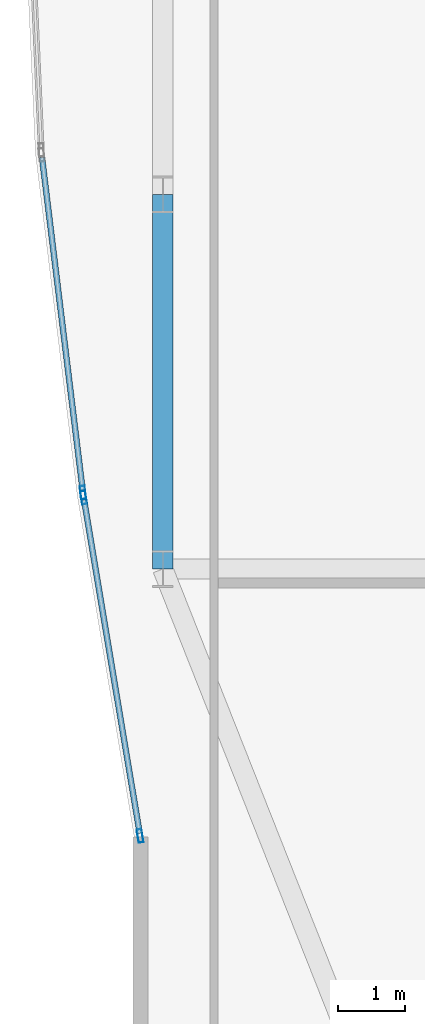
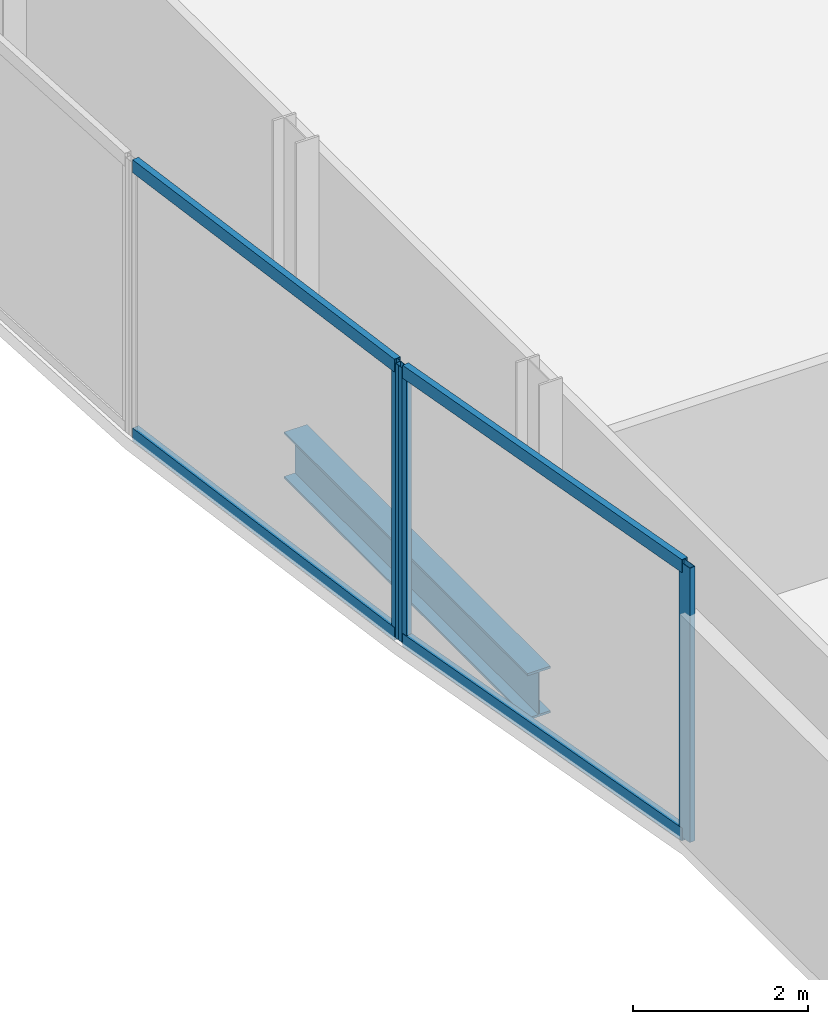
# One storey, part 6 of 32: 7 members, 1 beam, 2 elements without a shape of their own.
"""IFC4 building model written with IfcOpenShell, lengths in metres."""

from ifc_helpers import new_model, si_unit, direction, frame, origin, origin_2d, place, context, subcontext, project, spatial, hollow_rectangle, i_section, extrude, material, material_profile, profile_set, type_object, element, aggregate, save


model = new_model("IFC4")

# Units and contexts
model_context = context("Model", 3, precision=1e-05, world=origin(), true_north=direction((0.0, 1.0)))
body_context = subcontext(model_context, "Body", "Model", "MODEL_VIEW")
ifc_project = project(units=[si_unit("LENGTHUNIT", "METRE"), si_unit("AREAUNIT", "SQUARE_METRE"), si_unit("VOLUMEUNIT", "CUBIC_METRE"), si_unit("PLANEANGLEUNIT", "RADIAN"), si_unit("MASSUNIT", "GRAM", prefix="KILO")], contexts=[model_context])

# Site, building, storey
site_placement = place(None, origin())
site = spatial("IfcSite", under=ifc_project, at=site_placement, CompositionType="ELEMENT")
building_placement = place(site_placement, origin())
building = spatial("IfcBuilding", under=site, at=building_placement, Name="Khoronbel Lancet Exchange", CompositionType="ELEMENT")
storey_placement = place(building_placement, frame((0.0, 0.0, 41.800048828125)))
storey = spatial("IfcBuildingStorey", under=building, at=storey_placement, Name="L09", CompositionType="ELEMENT", Elevation=41.800048828125)

# Beam
ifc_material_1 = material(Name="Steel S355", Category="steel")
ifc_material_profile_1 = material_profile(ifc_material_1, i_section(OverallWidth=0.300048828125, OverallDepth=0.64990234375, WebThickness=0.01611328125, FlangeThickness=0.031005859375, at=origin_2d()), Name="HEB 650")
ifc_profile_set_1 = profile_set([ifc_material_profile_1], Name="Steel S355")
beam_type = type_object("IfcBeamType", Name="BM-BSP1", PredefinedType="SPANDREL", material=ifc_profile_set_1)
beam_placement = place(storey_placement, frame((1.27001953125, 24.75, -0.505126953125), z_axis=(0.0, -1.0, 0.0), x_axis=(1.0, 0.0, 0.0)))
element("IfcBeam", 1, at=beam_placement, inside=storey, type_object=beam_type, Name="Level L09 perimeter spandrel beam SP20", PredefinedType="SPANDREL", context=body_context, shape_type="SweptSolid", body=[
    extrude(i_section(OverallWidth=0.300048828125, OverallDepth=0.64990234375, WebThickness=0.01611328125, FlangeThickness=0.031005859375, at=origin_2d()), origin(), (0.0, 0.0, 1.0), 5.550048828125),
])

# Curtain wall, members
ifc_material_2 = material(Name="Low-E Solar Control Insulating Glass", Category="glass")
curtain_wall_type = type_object("IfcCurtainWallType", Name="CW-4", PredefinedType="NOTDEFINED", material=ifc_material_2)
curtain_wall_1_placement = place(storey_placement, origin())
curtain_wall_1 = element("IfcCurtainWall", 2, at=curtain_wall_1_placement, inside=storey, type_object=curtain_wall_type, Name="Unitised curtain wall CW-L09-E04", PredefinedType="NOTDEFINED")
ifc_material_3 = material(Name="Bronze-Anodised Aluminium 6063-T6", Category="aluminium")
ifc_material_profile_2 = material_profile(ifc_material_3, hollow_rectangle(XDim=0.074951171875, YDim=0.199951171875, WallThickness=0.0048828125, at=origin_2d()), Name="ALU MULLION 75x200")
ifc_profile_set_2 = profile_set([ifc_material_profile_2], Name="Bronze-Anodised Aluminium 6063-T6")
member_type_1 = type_object("IfcMemberType", Name="MEM-CWM2", PredefinedType="MULLION", material=ifc_profile_set_2)
member_1_placement = place(storey_placement, frame((0.933837890625, 15.244384765625, 0.0), z_axis=(0.0, 0.0, 1.0), x_axis=(-0.986359850865, -0.164603294624, 0.0)))
member_1 = element("IfcMember", 3, at=member_1_placement, type_object=member_type_1, Name="CW4 mullion 1", PredefinedType="MULLION", context=body_context, shape_type="SweptSolid", body=[
    extrude(hollow_rectangle(XDim=0.074951171875, YDim=0.199951171875, WallThickness=0.0048828125, at=origin_2d()), origin(), (0.0, 0.0, 1.0), 3.820068359375),
])
member_2_placement = place(storey_placement, frame((0.096923828125, 20.25927734375, 0.0), z_axis=(0.0, 0.0, 1.0), x_axis=(-0.986359850865, -0.164603294624, 0.0)))
member_2 = element("IfcMember", 4, at=member_2_placement, type_object=member_type_1, Name="CW4 mullion 2", PredefinedType="MULLION", context=body_context, shape_type="SweptSolid", body=[
    extrude(hollow_rectangle(XDim=0.074951171875, YDim=0.199951171875, WallThickness=0.0048828125, at=origin_2d()), origin(), (0.0, 0.0, 1.0), 3.820068359375),
])

# Curtain wall, member
curtain_wall_2_placement = place(storey_placement, origin())
curtain_wall_2 = element("IfcCurtainWall", 5, at=curtain_wall_2_placement, inside=storey, type_object=curtain_wall_type, Name="Unitised curtain wall CW-L09-E05", PredefinedType="NOTDEFINED")
member_3_placement = place(storey_placement, frame((0.086181640625, 20.33349609375, 0.0), z_axis=(0.0, 0.0, 1.0), x_axis=(-0.992621623813, -0.121253090432, 0.0)))
member_3 = element("IfcMember", 6, at=member_3_placement, type_object=member_type_1, Name="CW4 mullion 1", PredefinedType="MULLION", context=body_context, shape_type="SweptSolid", body=[
    extrude(hollow_rectangle(XDim=0.074951171875, YDim=0.199951171875, WallThickness=0.0048828125, at=origin_2d()), origin(), (0.0, 0.0, 1.0), 3.820068359375),
])

# Member
ifc_material_profile_3 = material_profile(ifc_material_3, hollow_rectangle(XDim=0.0849609375, YDim=0.179931640625, WallThickness=0.0048828125, at=origin_2d()), Name="ALU TRANSOM 85x180")
ifc_profile_set_3 = profile_set([ifc_material_profile_3], Name="Bronze-Anodised Aluminium 6063-T6")
member_type_2 = type_object("IfcMemberType", Name="MEM-CWT1", PredefinedType="USERDEFINED", material=ifc_profile_set_3)
member_4_placement = place(storey_placement, frame((0.927734375, 15.281494140625, 0.04248046875), z_axis=(-0.164643999947, 0.986353057116, 0.0), x_axis=(-0.986353057116, -0.164643999947, 0.0)))
member_4 = element("IfcMember", 7, at=member_4_placement, type_object=member_type_2, Name="CW4 transom 1.1", ObjectType="TRANSOM", PredefinedType="USERDEFINED", context=body_context, shape_type="SweptSolid", body=[
    extrude(hollow_rectangle(XDim=0.0849609375, YDim=0.179931640625, WallThickness=0.0048828125, at=origin_2d()), origin(), (0.0, 0.0, 1.0), 5.009033203125),
])

member_5_placement = place(storey_placement, frame((0.927734375, 15.281494140625, 3.77734375), z_axis=(-0.164643999947, 0.986353057116, 0.0), x_axis=(-0.986353057116, -0.164643999947, 0.0)))
member_5 = element("IfcMember", 8, at=member_5_placement, type_object=member_type_2, Name="CW4 transom 1.2", ObjectType="TRANSOM", PredefinedType="USERDEFINED", context=body_context, shape_type="SweptSolid", body=[
    extrude(hollow_rectangle(XDim=0.0849609375, YDim=0.179931640625, WallThickness=0.0048828125, at=origin_2d()), origin(), (0.0, 0.0, 1.0), 5.009033203125),
])

aggregate(curtain_wall_1, [member_1, member_2, member_4, member_5])

member_6_placement = place(storey_placement, frame((0.081787109375, 20.37060546875, 0.04248046875), z_axis=(-0.121287136432, 0.992617464352, 0.0), x_axis=(-0.992617464352, -0.121287136432, 0.0)))
member_6 = element("IfcMember", 9, at=member_6_placement, type_object=member_type_2, Name="CW4 transom 1.1", ObjectType="TRANSOM", PredefinedType="USERDEFINED", context=body_context, shape_type="SweptSolid", body=[
    extrude(hollow_rectangle(XDim=0.0849609375, YDim=0.179931640625, WallThickness=0.0048828125, at=origin_2d()), origin(), (0.0, 0.0, 1.0), 4.9658203125),
])

member_7_placement = place(storey_placement, frame((0.081787109375, 20.37060546875, 3.77734375), z_axis=(-0.121287136432, 0.992617464352, 0.0), x_axis=(-0.992617464352, -0.121287136432, 0.0)))
member_7 = element("IfcMember", 10, at=member_7_placement, type_object=member_type_2, Name="CW4 transom 1.2", ObjectType="TRANSOM", PredefinedType="USERDEFINED", context=body_context, shape_type="SweptSolid", body=[
    extrude(hollow_rectangle(XDim=0.0849609375, YDim=0.179931640625, WallThickness=0.0048828125, at=origin_2d()), origin(), (0.0, 0.0, 1.0), 4.9658203125),
])

aggregate(curtain_wall_2, [member_3, member_6, member_7])

save(model, "model.ifc")
